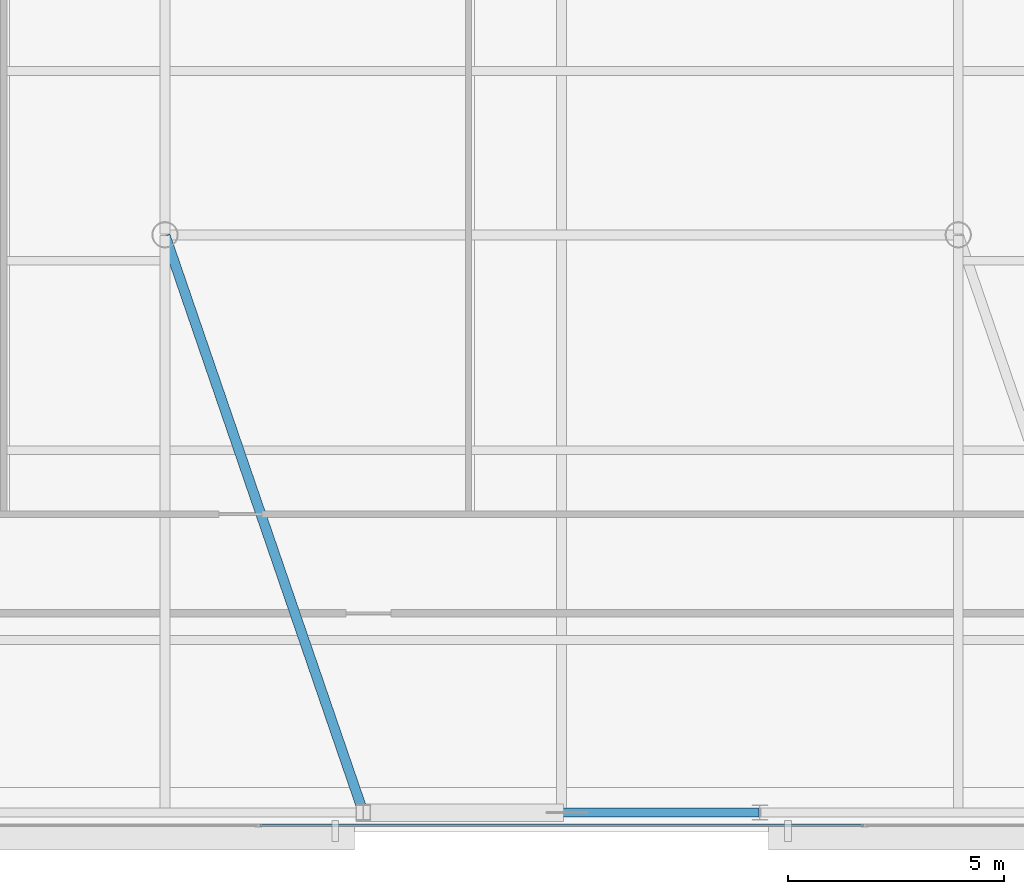
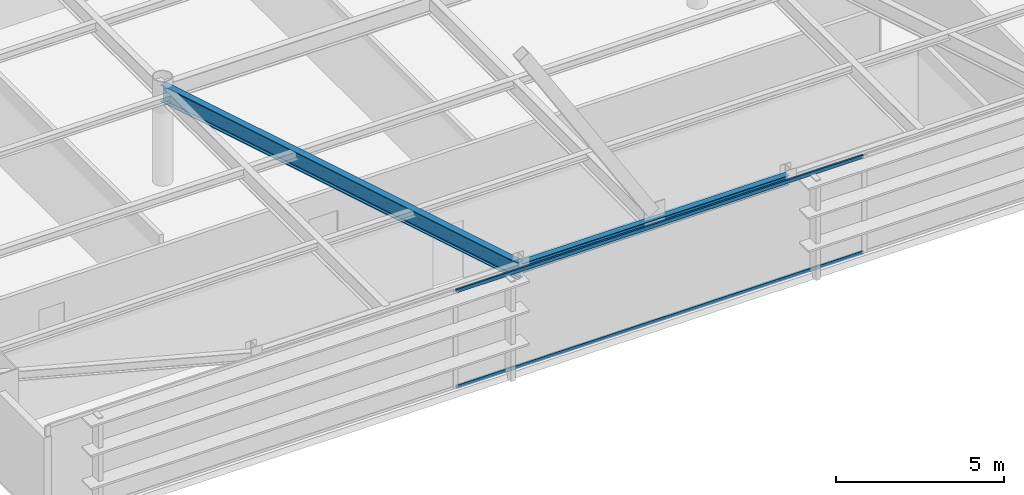
# One storey, part 7 of 27: 2 beams, 2 members, 1 element without a shape of its own.
"""IFC4 building model written with IfcOpenShell, lengths in metres."""

from ifc_helpers import new_model, si_unit, direction, frame, origin, origin_2d, place, context, subcontext, project, spatial, hollow_rectangle, i_section, extrude, source, transform, mapped, material, layer, layer_set, material_profile, profile_set, type_object, type_shapes, element, aggregate, save


model = new_model("IFC4")

# Units and contexts
model_context = context("Model", 3, precision=1e-05, world=origin(), true_north=direction((0.0, 1.0)))
body_context = subcontext(model_context, "Body", "Model", "MODEL_VIEW")
ifc_project = project(units=[si_unit("LENGTHUNIT", "METRE"), si_unit("AREAUNIT", "SQUARE_METRE"), si_unit("VOLUMEUNIT", "CUBIC_METRE"), si_unit("PLANEANGLEUNIT", "RADIAN"), si_unit("MASSUNIT", "GRAM", prefix="KILO")], contexts=[model_context])

# Site, building, storey
site_placement = place(None, origin())
site = spatial("IfcSite", under=ifc_project, at=site_placement, CompositionType="ELEMENT")
building_placement = place(site_placement, origin())
building = spatial("IfcBuilding", under=site, at=building_placement, Name="Varnel Quay Broadcast Tower", CompositionType="ELEMENT")
storey_placement = place(building_placement, frame((0.0, 0.0, 203.60009765625)))
storey = spatial("IfcBuildingStorey", under=building, at=storey_placement, Name="L50", CompositionType="ELEMENT", Elevation=203.60009765625)

# Beams
ifc_material_1 = material(Name="Structural Steel CSA G40.21 350W", Category="steel")
ifc_material_profile_1 = material_profile(ifc_material_1, i_section(OverallWidth=0.205078125, OverallDepth=0.35400390625, WebThickness=0.009521484375, FlangeThickness=0.016845703125, FilletRadius=0.012939453125, at=origin_2d()), Name="W360X79")
ifc_profile_set_1 = profile_set([ifc_material_profile_1], Name="Structural Steel CSA G40.21 350W")
beam_type_1 = type_object("IfcBeamType", Name="Beam_W360X79", PredefinedType="SPANDREL", material=ifc_profile_set_1)
shared_shape_1 = source(origin(), body_context, "Body", "SweptSolid", [
    extrude(i_section(OverallWidth=0.205078125, OverallDepth=0.35400390625, WebThickness=0.009521484375, FlangeThickness=0.016845703125, FilletRadius=0.012939453125, at=origin_2d()), origin(), (0.0, 0.0, 1.0), 9.16015625),
])
type_shapes(beam_type_1, [shared_shape_1])
beam_1_placement = place(storey_placement, frame((29.419921875, 10.64990234375, 3.372802734375), z_axis=(1.0, 0.0, 0.0), x_axis=(0.0, 1.0, 0.0)))
element("IfcBeam", 1, at=beam_1_placement, inside=storey, type_object=beam_type_1, Name="L50 South Spandrel TC-S2-TC-S3", PredefinedType="SPANDREL", context=body_context, shape_type="MappedRepresentation", body=[
    mapped(shared_shape_1, transform((0.0, 0.0, 0.0), x_axis=(1.0, 0.0, 0.0), y_axis=(0.0, 1.0, 0.0), z_axis=(0.0, 0.0, 1.0), scale=1.0)),
])
ifc_material_profile_2 = material_profile(ifc_material_1, i_section(OverallWidth=0.22998046875, OverallDepth=0.616943359375, WebThickness=0.01318359375, FlangeThickness=0.022216796875, FilletRadius=0.01611328125, at=origin_2d()), Name="W610X140")
ifc_profile_set_2 = profile_set([ifc_material_profile_2], Name="Structural Steel CSA G40.21 350W")
beam_type_2 = type_object("IfcBeamType", Name="Girder_W610X140", PredefinedType="BEAM", material=ifc_profile_set_2)
shared_shape_2 = source(origin(), body_context, "Body", "SweptSolid", [
    extrude(i_section(OverallWidth=0.22998046875, OverallDepth=0.616943359375, WebThickness=0.01318359375, FlangeThickness=0.022216796875, FilletRadius=0.01611328125, at=origin_2d()), origin(), (0.0, 0.0, 1.0), 14.12744140625),
])
type_shapes(beam_type_2, [shared_shape_2])
beam_2_placement = place(storey_placement, frame((29.3935546875, 10.6689453125, 3.241455078125), z_axis=(-0.324696747868, 0.945818175932, 0.0), x_axis=(-0.945818175932, -0.324696747868, 0.0)))
element("IfcBeam", 2, at=beam_2_placement, inside=storey, type_object=beam_type_2, Name="L50 Primary Girder TC-S2-IC-01", PredefinedType="BEAM", context=body_context, shape_type="MappedRepresentation", body=[
    mapped(shared_shape_2, transform((0.0, 0.0, 0.0), x_axis=(1.0, 0.0, 0.0), y_axis=(0.0, 1.0, 0.0), z_axis=(0.0, 0.0, 1.0), scale=1.0)),
])

# Curtain wall, members
ifc_material_2 = material(Name="Anodised Bronze Aluminium 6063-T6", Category="aluminium")
ifc_layer = layer(ifc_material_2, 0.18994140625, Name="Anodised Bronze Aluminium 6063-T6")
ifc_layer_set = layer_set([ifc_layer], Name="Anodised Bronze Aluminium 6063-T6")
curtain_wall_type = type_object("IfcCurtainWallType", Name="CW_UpperTower", PredefinedType="NOTDEFINED", material=ifc_layer_set)
curtain_wall_placement = place(storey_placement, origin())
curtain_wall = element("IfcCurtainWall", 3, at=curtain_wall_placement, inside=storey, type_object=curtain_wall_type, Name="L50 South Unitised Curtain Wall 1", PredefinedType="NOTDEFINED")
ifc_material_profile_3 = material_profile(ifc_material_2, hollow_rectangle(XDim=0.06005859375, YDim=0.125, WallThickness=0.0029296875, at=origin_2d()), Name="ALU60X125X3")
ifc_profile_set_3 = profile_set([ifc_material_profile_3], Name="Anodised Bronze Aluminium 6063-T6")
member_type = type_object("IfcMemberType", Name="Tran_CWS-03", PredefinedType="USERDEFINED", material=ifc_profile_set_3)
shared_shape_3 = source(origin(), body_context, "Body", "SweptSolid", [
    extrude(hollow_rectangle(XDim=0.06005859375, YDim=0.125, WallThickness=0.0029296875, at=origin_2d()), origin(), (0.0, 0.0, 1.0), 14.00146484375),
])
type_shapes(member_type, [shared_shape_3])
member_1_placement = place(storey_placement, frame((26.999267578125, 10.35009765625, 0.02978515625), z_axis=(1.0, 0.0, 0.0), x_axis=(0.0, 1.0, 0.0)))
member_1 = element("IfcMember", 4, at=member_1_placement, type_object=member_type, Name="CWS-03 transom 2.1", ObjectType="TRANSOM", PredefinedType="USERDEFINED", context=body_context, shape_type="MappedRepresentation", body=[
    mapped(shared_shape_3, transform((0.0, 0.0, 0.0), x_axis=(1.0, 0.0, 0.0), y_axis=(0.0, 1.0, 0.0), z_axis=(0.0, 0.0, 1.0), scale=1.0)),
])
member_2_placement = place(storey_placement, frame((26.999267578125, 10.35009765625, 3.52001953125), z_axis=(1.0, 0.0, 0.0), x_axis=(0.0, 1.0, 0.0)))
member_2 = element("IfcMember", 5, at=member_2_placement, type_object=member_type, Name="CWS-03 transom 2.2", ObjectType="TRANSOM", PredefinedType="USERDEFINED", context=body_context, shape_type="MappedRepresentation", body=[
    mapped(shared_shape_3, transform((0.0, 0.0, 0.0), x_axis=(1.0, 0.0, 0.0), y_axis=(0.0, 1.0, 0.0), z_axis=(0.0, 0.0, 1.0), scale=1.0)),
])
aggregate(curtain_wall, [member_1, member_2])

save(model, "model.ifc")
